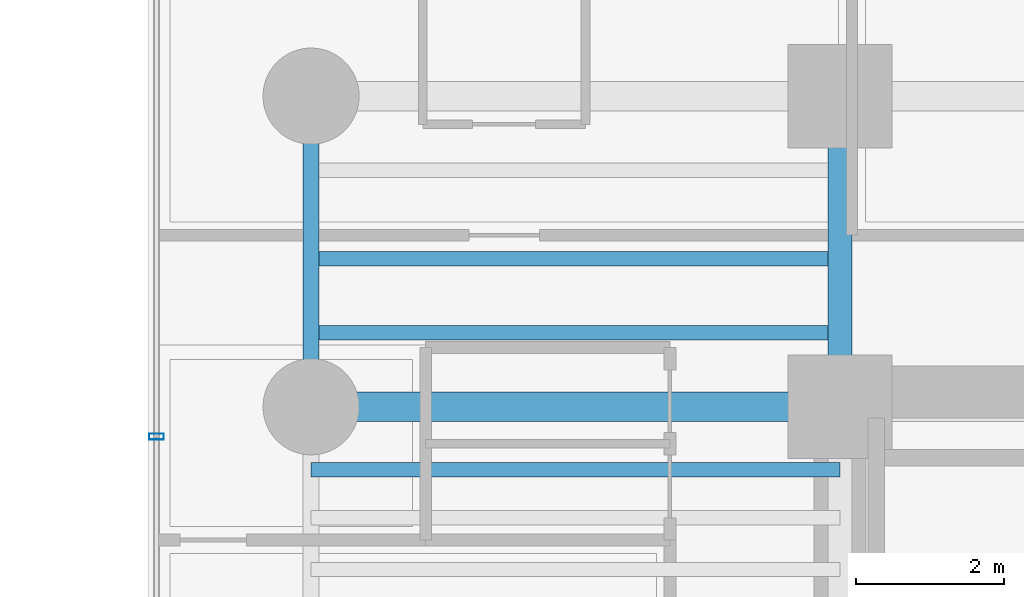
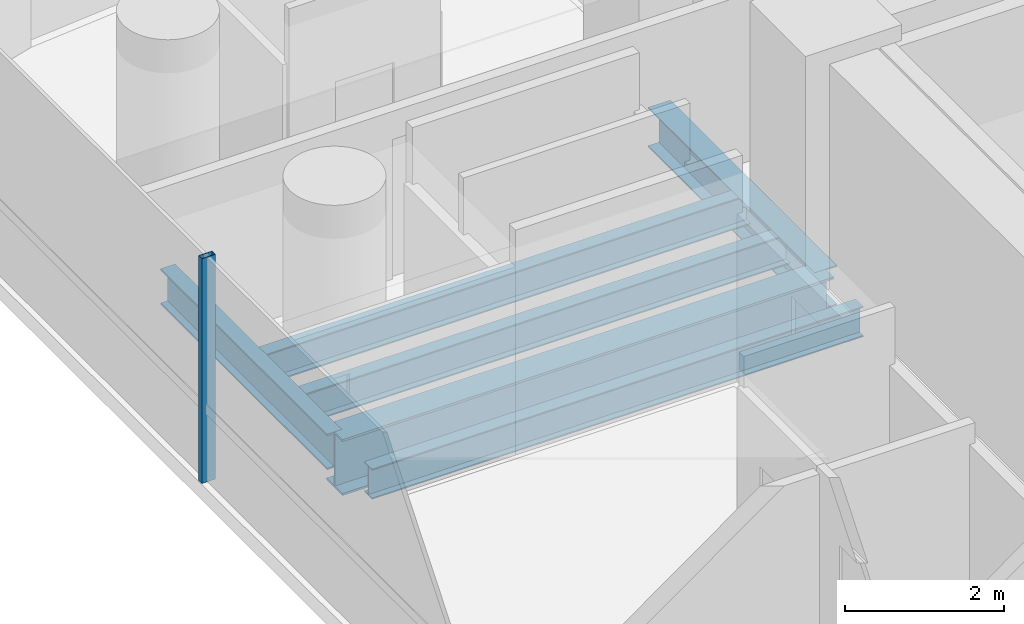
# One storey, part 10 of 40: 6 beams, 1 member, 1 element without a shape of its own.
"""IFC4 building model written with IfcOpenShell, lengths in metres."""

from ifc_helpers import new_model, si_unit, direction, frame, origin, origin_2d, place, context, subcontext, project, spatial, hollow_rectangle, i_section, extrude, source, transform, mapped, material, material_profile, profile_set, type_object, element, aggregate, save


model = new_model("IFC4")

# Units and contexts
model_context = context("Model", 3, precision=1e-05, world=origin(), true_north=direction((0.0, 1.0)))
body_context = subcontext(model_context, "Body", "Model", "MODEL_VIEW")
ifc_project = project(units=[si_unit("LENGTHUNIT", "METRE"), si_unit("AREAUNIT", "SQUARE_METRE"), si_unit("VOLUMEUNIT", "CUBIC_METRE"), si_unit("PLANEANGLEUNIT", "RADIAN"), si_unit("MASSUNIT", "GRAM", prefix="KILO")], contexts=[model_context])

# Site, building, storey
site_placement = place(None, origin())
site = spatial("IfcSite", under=ifc_project, at=site_placement, CompositionType="ELEMENT")
building_placement = place(site_placement, origin())
building = spatial("IfcBuilding", under=site, at=building_placement, Name="Valdorenza Pilgrim Sanctuary Tower", CompositionType="ELEMENT")
storey_placement = place(building_placement, frame((0.0, 0.0, 92.60009765625)))
storey = spatial("IfcBuildingStorey", under=building, at=storey_placement, Name="L23", CompositionType="ELEMENT", Elevation=92.60009765625)

# Beams
ifc_material_1 = material(Name="Steel ASTM A992 Grade 50", Category="steel")
ifc_material_profile_1 = material_profile(ifc_material_1, i_section(OverallWidth=0.214111328125, OverallDepth=0.549072265625, WebThickness=0.0146484375, FlangeThickness=0.023681640625, at=origin_2d()), Name="W21X93")
ifc_profile_set_1 = profile_set([ifc_material_profile_1], Name="Steel ASTM A992 Grade 50")
beam_type_1 = type_object("IfcBeamType", Name="STR-BM-SPN-W21A", PredefinedType="SPANDREL", material=ifc_profile_set_1)
shared_shape_1 = source(origin(), body_context, "Body", "SweptSolid", [
    extrude(i_section(OverallWidth=0.214111328125, OverallDepth=0.549072265625, WebThickness=0.0146484375, FlangeThickness=0.023681640625, at=origin_2d()), origin(), (0.0, 0.0, 1.0), 4.199951171875),
])
beam_1_placement = place(storey_placement, frame((-29.800048828125, 10.60009765625, -0.5146484375), z_axis=(0.0, 1.0, 0.0), x_axis=(-1.0, 0.0, 0.0)))
element("IfcBeam", 1, at=beam_1_placement, inside=storey, type_object=beam_type_1, Name="L23 Spandrel Beam WA-W-N1N2", PredefinedType="SPANDREL", context=body_context, shape_type="MappedRepresentation", body=[
    mapped(shared_shape_1, transform((0.0, 0.0, 0.0), x_axis=(1.0, 0.0, 0.0), y_axis=(0.0, 1.0, 0.0), z_axis=(0.0, 0.0, 1.0), scale=1.0)),
])
ifc_material_profile_2 = material_profile(ifc_material_1, i_section(OverallWidth=0.323974609375, OverallDepth=0.611083984375, WebThickness=0.0126953125, FlangeThickness=0.01904296875, at=origin_2d()), Name="W24X104")
ifc_profile_set_2 = profile_set([ifc_material_profile_2], Name="Steel ASTM A992 Grade 50")
beam_type_2 = type_object("IfcBeamType", Name="STR-BM-GRD-W24B", PredefinedType="BEAM", material=ifc_profile_set_2)
shared_shape_2 = source(origin(), body_context, "Body", "SweptSolid", [
    extrude(i_section(OverallWidth=0.323974609375, OverallDepth=0.611083984375, WebThickness=0.0126953125, FlangeThickness=0.01904296875, at=origin_2d()), origin(), (0.0, 0.0, 1.0), 4.199951171875),
])
beam_2_placement = place(storey_placement, frame((-22.64990234375, 10.60009765625, -0.545654296875), z_axis=(0.0, 1.0, 0.0), x_axis=(-1.0, 0.0, 0.0)))
element("IfcBeam", 2, at=beam_2_placement, inside=storey, type_object=beam_type_2, Name="L23 Core Tie Girder CA-W-N1N2", PredefinedType="BEAM", context=body_context, shape_type="MappedRepresentation", body=[
    mapped(shared_shape_2, transform((0.0, 0.0, 0.0), x_axis=(1.0, 0.0, 0.0), y_axis=(0.0, 1.0, 0.0), z_axis=(0.0, 0.0, 1.0), scale=1.0)),
])
ifc_material_profile_3 = material_profile(ifc_material_1, i_section(OverallWidth=0.193115234375, OverallDepth=0.466064453125, WebThickness=0.011474609375, FlangeThickness=0.01904296875, at=origin_2d()), Name="W18X65")
ifc_profile_set_3 = profile_set([ifc_material_profile_3], Name="Steel ASTM A992 Grade 50")
beam_type_3 = type_object("IfcBeamType", Name="STR-BM-JST-W18A", PredefinedType="JOIST", material=ifc_profile_set_3)
shared_shape_3 = source(origin(), body_context, "Body", "SweptSolid", [
    extrude(i_section(OverallWidth=0.193115234375, OverallDepth=0.466064453125, WebThickness=0.011474609375, FlangeThickness=0.01904296875, at=origin_2d()), origin(), (0.0, 0.0, 1.0), 7.150146484375),
])
for number, where, z_axis, x_axis, name in (
    (3, (-29.800048828125, 9.75, -0.47314453125), (1.0, 0.0, 0.0), (0.0, 1.0, 0.0), "L23 Composite Floor Joist JST-WA-23"),
    (4, (-29.800048828125, 11.60009765625, -0.47314453125), (1.0, 0.0, 0.0), (0.0, 1.0, 0.0), "L23 Composite Floor Joist JST-WA-24"),
    (5, (-29.800048828125, 12.60009765625, -0.47314453125), (1.0, 0.0, 0.0), (0.0, 1.0, 0.0), "L23 Composite Floor Joist JST-WA-25"),
):
    element("IfcBeam", number, at=place(storey_placement, frame(where, z_axis=z_axis, x_axis=x_axis)), inside=storey, type_object=beam_type_3, Name=name, PredefinedType="JOIST", context=body_context, shape_type="MappedRepresentation", body=[
        mapped(shared_shape_3, transform((0.0, 0.0, 0.0), x_axis=(1.0, 0.0, 0.0), y_axis=(0.0, 1.0, 0.0), z_axis=(0.0, 0.0, 1.0), scale=1.0)),
    ])
ifc_material_profile_4 = material_profile(ifc_material_1, i_section(OverallWidth=0.39990234375, OverallDepth=0.862060546875, WebThickness=0.019775390625, FlangeThickness=0.032470703125, at=origin_2d()), Name="W33X221")
ifc_profile_set_4 = profile_set([ifc_material_profile_4], Name="Steel ASTM A992 Grade 50")
beam_type_4 = type_object("IfcBeamType", Name="STR-BM-GRD-W33", PredefinedType="BEAM", material=ifc_profile_set_4)
shared_shape_4 = source(origin(), body_context, "Body", "SweptSolid", [
    extrude(i_section(OverallWidth=0.39990234375, OverallDepth=0.862060546875, WebThickness=0.019775390625, FlangeThickness=0.032470703125, at=origin_2d()), origin(), (0.0, 0.0, 1.0), 7.150146484375),
])
beam_3_placement = place(storey_placement, frame((-29.800048828125, 10.60009765625, -0.671142578125), z_axis=(1.0, 0.0, 0.0), x_axis=(0.0, 1.0, 0.0)))
element("IfcBeam", 6, at=beam_3_placement, inside=storey, type_object=beam_type_4, Name="L23 Floor Girder WA-XW-N1", PredefinedType="BEAM", context=body_context, shape_type="MappedRepresentation", body=[
    mapped(shared_shape_4, transform((0.0, 0.0, 0.0), x_axis=(1.0, 0.0, 0.0), y_axis=(0.0, 1.0, 0.0), z_axis=(0.0, 0.0, 1.0), scale=1.0)),
])

# Curtain wall, member
ifc_material_2 = material(Name="Curtain-wall IGU glazing", Category="glass")
curtain_wall_type = type_object("IfcCurtainWallType", Name="CW-SYS-02", PredefinedType="NOTDEFINED", material=ifc_material_2)
curtain_wall_placement = place(storey_placement, origin())
curtain_wall = element("IfcCurtainWall", 7, at=curtain_wall_placement, inside=storey, type_object=curtain_wall_type, Name="L23 Curtain Wall CW-L23-1-1S2", PredefinedType="NOTDEFINED")
ifc_material_3 = material(Name="Anodised aluminium AW-6060", Category="aluminium")
ifc_material_profile_5 = material_profile(ifc_material_3, hollow_rectangle(XDim=0.0849609375, YDim=0.199951171875, WallThickness=0.0048828125, at=origin_2d()), Name="ALU-M 200x85x5")
ifc_profile_set_5 = profile_set([ifc_material_profile_5], Name="Anodised aluminium AW-6060")
member_type = type_object("IfcMemberType", Name="CW-MUL-02", PredefinedType="MULLION", material=ifc_profile_set_5)
shared_shape_5 = source(origin(), body_context, "Body", "SweptSolid", [
    extrude(hollow_rectangle(XDim=0.0849609375, YDim=0.199951171875, WallThickness=0.0048828125, at=origin_2d()), origin(), (0.0, 0.0, 1.0), 3.4599609375),
])
member_placement = place(storey_placement, frame((-31.889892578125, 10.19580078125, 0.0), z_axis=(0.0, 0.0, 1.0), x_axis=(0.0, 1.0, 0.0)))
member = element("IfcMember", 8, at=member_placement, type_object=member_type, Name="CW-L23-1-1S2 Mullion 3", PredefinedType="MULLION", context=body_context, shape_type="MappedRepresentation", body=[
    mapped(shared_shape_5, transform((0.0, 0.0, 0.0), x_axis=(1.0, 0.0, 0.0), y_axis=(0.0, 1.0, 0.0), z_axis=(0.0, 0.0, 1.0), scale=1.0)),
])
aggregate(curtain_wall, [member])

save(model, "model.ifc")
